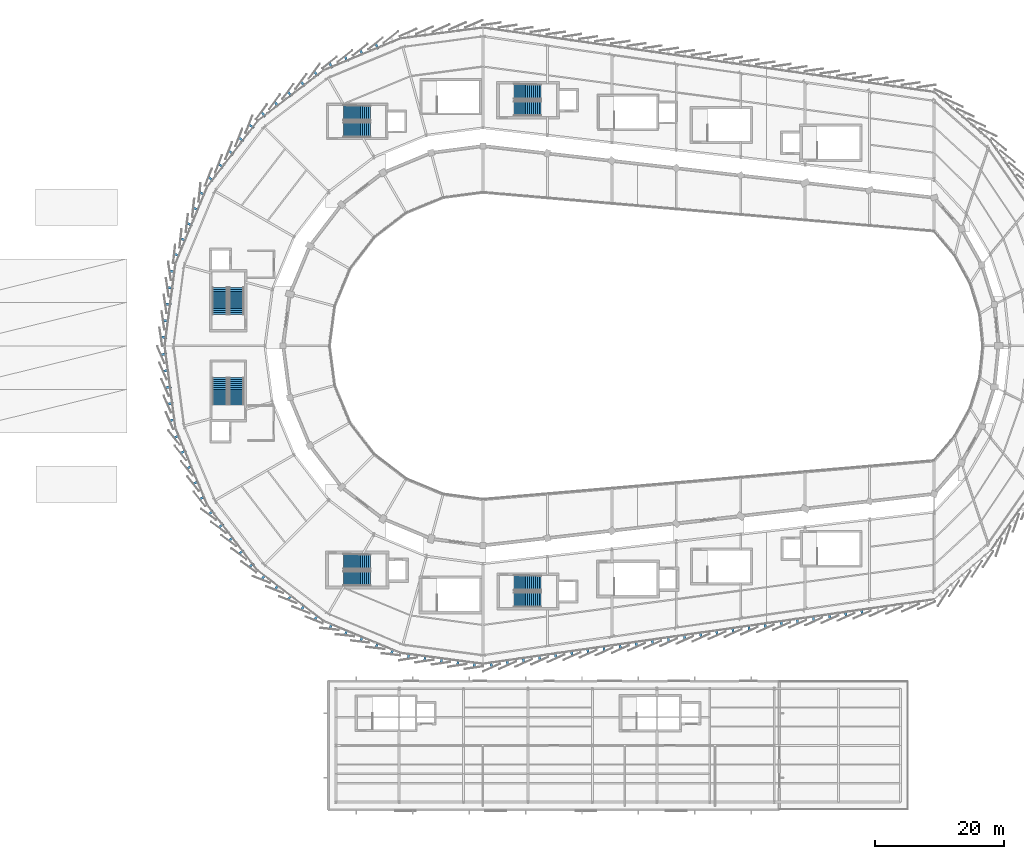
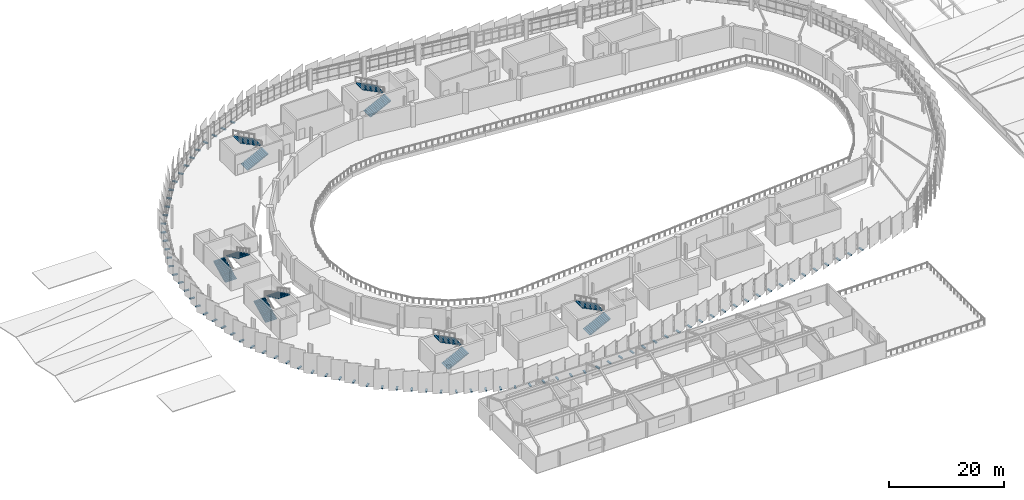
# One storey, part 80 of 87: 78 discrete accessories, 12 stair flights, 6 elements without a shape of their own.
"""IFC4 building model written with IfcOpenShell, lengths in metres."""

from ifc_helpers import new_model, si_unit, direction, frame, origin, origin_2d, place, context, subcontext, project, spatial, polyline, rectangle, outline, extrude, material, type_object, element, aggregate, save


model = new_model("IFC4")

# Units and contexts
model_context = context("Model", 3, precision=1e-05, world=origin(), true_north=direction((0.0, 1.0)))
body_context = subcontext(model_context, "Body", "Model", "MODEL_VIEW")
ifc_project = project(units=[si_unit("LENGTHUNIT", "METRE"), si_unit("AREAUNIT", "SQUARE_METRE"), si_unit("VOLUMEUNIT", "CUBIC_METRE"), si_unit("PLANEANGLEUNIT", "RADIAN"), si_unit("MASSUNIT", "GRAM", prefix="KILO")], contexts=[model_context])

# Site, building, storey
site_placement = place(None, origin())
site = spatial("IfcSite", under=ifc_project, at=site_placement, CompositionType="ELEMENT")
building_placement = place(site_placement, origin())
building = spatial("IfcBuilding", under=site, at=building_placement, Name="Sohan Crest Arena", CompositionType="ELEMENT")
storey_placement = place(building_placement, frame((0.0, 0.0, 18.0)))
storey = spatial("IfcBuildingStorey", under=building, at=storey_placement, Name="L04", CompositionType="ELEMENT", Elevation=18.0)

# Stair, stair flights
ifc_material_1 = material(Name="Concrete C40/50", Category="concrete")
stair_type = type_object("IfcStairType", Name="ST-450", PredefinedType="TWO_STRAIGHT_RUN_STAIR", material=ifc_material_1)
stair_1_placement = place(storey_placement, origin())
stair_1 = element("IfcStair", 1, at=stair_1_placement, inside=storey, type_object=stair_type, Name="Protected exit stair ST01-L04", PredefinedType="TWO_STRAIGHT_RUN_STAIR")
stair_flight_type = type_object("IfcStairFlightType", Name="FL-260-15", PredefinedType="STRAIGHT", material=ifc_material_1)
stair_flight_1_placement = place(storey_placement, frame((57.199951171875, 68.85009765625, 0.0), z_axis=(0.0, 0.0, 1.0), x_axis=(0.0, 1.0, 0.0)))
stair_flight_1 = element("IfcStairFlight", 2, at=stair_flight_1_placement, type_object=stair_flight_type, Name="ST01-L04 flight 1", NumberOfRisers=15, NumberOfTreads=14, PredefinedType="STRAIGHT", RiserHeight=0.15, TreadLength=0.3, context=body_context, shape_type="SweptSolid", body=[
    extrude(outline(polyline([(0.0, 0.0), (0.0, 0.14990234375), (0.300048828125, 0.14990234375), (0.300048828125, 0.300048828125), (0.60009765625, 0.300048828125), (0.60009765625, 0.449951171875), (0.89990234375, 0.449951171875), (0.89990234375, 0.60009765625), (1.199951171875, 0.60009765625), (1.199951171875, 0.75), (1.5, 0.75), (1.5, 0.89990234375), (1.800048828125, 0.89990234375), (1.800048828125, 1.050048828125), (2.10009765625, 1.050048828125), (2.10009765625, 1.199951171875), (2.39990234375, 1.199951171875), (2.39990234375, 1.35009765625), (2.699951171875, 1.35009765625), (2.699951171875, 1.5), (3.0, 1.5), (3.0, 1.64990234375), (3.300048828125, 1.64990234375), (3.300048828125, 1.800048828125), (3.60009765625, 1.800048828125), (3.60009765625, 1.949951171875), (3.89990234375, 1.949951171875), (3.89990234375, 2.10009765625), (4.199951171875, 2.10009765625), (4.199951171875, 2.25), (4.199951171875, 1.932373046875), (0.335205078125, 0.0), (0.0, 0.0)])), frame((0.0, 1.14990234375, 0.0), z_axis=(0.0, -1.0, 0.0), x_axis=(1.0, 0.0, 0.0)), (0.0, 0.0, 1.0), 2.300048828125),
])
stair_flight_2_placement = place(storey_placement, frame((59.800048828125, 73.050048828125, 2.25), z_axis=(0.0, 0.0, 1.0), x_axis=(0.0, -1.0, 0.0)))
stair_flight_2 = element("IfcStairFlight", 3, at=stair_flight_2_placement, type_object=stair_flight_type, Name="ST01-L04 flight 2", NumberOfRisers=15, NumberOfTreads=14, PredefinedType="STRAIGHT", RiserHeight=0.15, TreadLength=0.3, context=body_context, shape_type="SweptSolid", body=[
    extrude(outline(polyline([(0.0, 0.0), (0.0, 0.14990234375), (0.300048828125, 0.14990234375), (0.300048828125, 0.300048828125), (0.60009765625, 0.300048828125), (0.60009765625, 0.449951171875), (0.89990234375, 0.449951171875), (0.89990234375, 0.60009765625), (1.199951171875, 0.60009765625), (1.199951171875, 0.75), (1.5, 0.75), (1.5, 0.89990234375), (1.800048828125, 0.89990234375), (1.800048828125, 1.050048828125), (2.10009765625, 1.050048828125), (2.10009765625, 1.199951171875), (2.39990234375, 1.199951171875), (2.39990234375, 1.35009765625), (2.699951171875, 1.35009765625), (2.699951171875, 1.5), (3.0, 1.5), (3.0, 1.64990234375), (3.300048828125, 1.64990234375), (3.300048828125, 1.800048828125), (3.60009765625, 1.800048828125), (3.60009765625, 1.949951171875), (3.89990234375, 1.949951171875), (3.89990234375, 2.10009765625), (4.199951171875, 2.10009765625), (4.199951171875, 2.25), (4.199951171875, 1.932373046875), (0.335205078125, 0.0), (0.0, 0.0)])), frame((0.0, 1.14990234375, 0.0), z_axis=(0.0, -1.0, 0.0), x_axis=(1.0, 0.0, 0.0)), (0.0, 0.0, 1.0), 2.300048828125),
])
aggregate(stair_1, [stair_flight_1, stair_flight_2])

stair_2_placement = place(storey_placement, origin())
stair_2 = element("IfcStair", 4, at=stair_2_placement, inside=storey, type_object=stair_type, Name="Protected exit stair ST02-L04", PredefinedType="TWO_STRAIGHT_RUN_STAIR")
stair_flight_3_placement = place(storey_placement, frame((57.199951171875, 82.85009765625, 0.0), z_axis=(0.0, 0.0, 1.0), x_axis=(0.0, 1.0, 0.0)))
stair_flight_3 = element("IfcStairFlight", 5, at=stair_flight_3_placement, type_object=stair_flight_type, Name="ST02-L04 flight 1", NumberOfRisers=15, NumberOfTreads=14, PredefinedType="STRAIGHT", RiserHeight=0.15, TreadLength=0.3, context=body_context, shape_type="SweptSolid", body=[
    extrude(outline(polyline([(0.0, 0.0), (0.0, 0.14990234375), (0.300048828125, 0.14990234375), (0.300048828125, 0.300048828125), (0.60009765625, 0.300048828125), (0.60009765625, 0.449951171875), (0.89990234375, 0.449951171875), (0.89990234375, 0.60009765625), (1.199951171875, 0.60009765625), (1.199951171875, 0.75), (1.5, 0.75), (1.5, 0.89990234375), (1.800048828125, 0.89990234375), (1.800048828125, 1.050048828125), (2.10009765625, 1.050048828125), (2.10009765625, 1.199951171875), (2.39990234375, 1.199951171875), (2.39990234375, 1.35009765625), (2.699951171875, 1.35009765625), (2.699951171875, 1.5), (3.0, 1.5), (3.0, 1.64990234375), (3.300048828125, 1.64990234375), (3.300048828125, 1.800048828125), (3.60009765625, 1.800048828125), (3.60009765625, 1.949951171875), (3.89990234375, 1.949951171875), (3.89990234375, 2.10009765625), (4.199951171875, 2.10009765625), (4.199951171875, 2.25), (4.199951171875, 1.932373046875), (0.335205078125, 0.0), (0.0, 0.0)])), frame((0.0, 1.14990234375, 0.0), z_axis=(0.0, -1.0, 0.0), x_axis=(1.0, 0.0, 0.0)), (0.0, 0.0, 1.0), 2.300048828125),
])
stair_flight_4_placement = place(storey_placement, frame((59.800048828125, 87.050048828125, 2.25), z_axis=(0.0, 0.0, 1.0), x_axis=(0.0, -1.0, 0.0)))
stair_flight_4 = element("IfcStairFlight", 6, at=stair_flight_4_placement, type_object=stair_flight_type, Name="ST02-L04 flight 2", NumberOfRisers=15, NumberOfTreads=14, PredefinedType="STRAIGHT", RiserHeight=0.15, TreadLength=0.3, context=body_context, shape_type="SweptSolid", body=[
    extrude(outline(polyline([(0.0, 0.0), (0.0, 0.14990234375), (0.300048828125, 0.14990234375), (0.300048828125, 0.300048828125), (0.60009765625, 0.300048828125), (0.60009765625, 0.449951171875), (0.89990234375, 0.449951171875), (0.89990234375, 0.60009765625), (1.199951171875, 0.60009765625), (1.199951171875, 0.75), (1.5, 0.75), (1.5, 0.89990234375), (1.800048828125, 0.89990234375), (1.800048828125, 1.050048828125), (2.10009765625, 1.050048828125), (2.10009765625, 1.199951171875), (2.39990234375, 1.199951171875), (2.39990234375, 1.35009765625), (2.699951171875, 1.35009765625), (2.699951171875, 1.5), (3.0, 1.5), (3.0, 1.64990234375), (3.300048828125, 1.64990234375), (3.300048828125, 1.800048828125), (3.60009765625, 1.800048828125), (3.60009765625, 1.949951171875), (3.89990234375, 1.949951171875), (3.89990234375, 2.10009765625), (4.199951171875, 2.10009765625), (4.199951171875, 2.25), (4.199951171875, 1.932373046875), (0.335205078125, 0.0), (0.0, 0.0)])), frame((0.0, 1.14990234375, 0.0), z_axis=(0.0, -1.0, 0.0), x_axis=(1.0, 0.0, 0.0)), (0.0, 0.0, 1.0), 2.300048828125),
])
aggregate(stair_2, [stair_flight_3, stair_flight_4])

stair_3_placement = place(storey_placement, origin())
stair_3 = element("IfcStair", 7, at=stair_3_placement, inside=storey, type_object=stair_type, Name="Protected exit stair ST03-L04", PredefinedType="TWO_STRAIGHT_RUN_STAIR")
stair_flight_5_placement = place(storey_placement, frame((76.35009765625, 41.89990234375, 0.0), z_axis=(0.0, 0.0, 1.0), x_axis=(1.0, 0.0, 0.0)))
stair_flight_5 = element("IfcStairFlight", 8, at=stair_flight_5_placement, type_object=stair_flight_type, Name="ST03-L04 flight 1", NumberOfRisers=15, NumberOfTreads=14, PredefinedType="STRAIGHT", RiserHeight=0.15, TreadLength=0.3, context=body_context, shape_type="SweptSolid", body=[
    extrude(outline(polyline([(0.0, 0.0), (0.0, 0.14990234375), (0.300048828125, 0.14990234375), (0.300048828125, 0.300048828125), (0.60009765625, 0.300048828125), (0.60009765625, 0.449951171875), (0.89990234375, 0.449951171875), (0.89990234375, 0.60009765625), (1.199951171875, 0.60009765625), (1.199951171875, 0.75), (1.5, 0.75), (1.5, 0.89990234375), (1.800048828125, 0.89990234375), (1.800048828125, 1.050048828125), (2.10009765625, 1.050048828125), (2.10009765625, 1.199951171875), (2.39990234375, 1.199951171875), (2.39990234375, 1.35009765625), (2.699951171875, 1.35009765625), (2.699951171875, 1.5), (3.0, 1.5), (3.0, 1.64990234375), (3.300048828125, 1.64990234375), (3.300048828125, 1.800048828125), (3.60009765625, 1.800048828125), (3.60009765625, 1.949951171875), (3.89990234375, 1.949951171875), (3.89990234375, 2.10009765625), (4.199951171875, 2.10009765625), (4.199951171875, 2.25), (4.199951171875, 1.932373046875), (0.335205078125, 0.0), (0.0, 0.0)])), frame((0.0, 1.14990234375, 0.0), z_axis=(0.0, -1.0, 0.0), x_axis=(1.0, 0.0, 0.0)), (0.0, 0.0, 1.0), 2.300048828125),
])
stair_flight_6_placement = place(storey_placement, frame((80.550048828125, 44.5, 2.25), z_axis=(0.0, 0.0, 1.0), x_axis=(-1.0, 0.0, 0.0)))
stair_flight_6 = element("IfcStairFlight", 9, at=stair_flight_6_placement, type_object=stair_flight_type, Name="ST03-L04 flight 2", NumberOfRisers=15, NumberOfTreads=14, PredefinedType="STRAIGHT", RiserHeight=0.15, TreadLength=0.3, context=body_context, shape_type="SweptSolid", body=[
    extrude(outline(polyline([(0.0, 0.0), (0.0, 0.14990234375), (0.300048828125, 0.14990234375), (0.300048828125, 0.300048828125), (0.60009765625, 0.300048828125), (0.60009765625, 0.449951171875), (0.89990234375, 0.449951171875), (0.89990234375, 0.60009765625), (1.199951171875, 0.60009765625), (1.199951171875, 0.75), (1.5, 0.75), (1.5, 0.89990234375), (1.800048828125, 0.89990234375), (1.800048828125, 1.050048828125), (2.10009765625, 1.050048828125), (2.10009765625, 1.199951171875), (2.39990234375, 1.199951171875), (2.39990234375, 1.35009765625), (2.699951171875, 1.35009765625), (2.699951171875, 1.5), (3.0, 1.5), (3.0, 1.64990234375), (3.300048828125, 1.64990234375), (3.300048828125, 1.800048828125), (3.60009765625, 1.800048828125), (3.60009765625, 1.949951171875), (3.89990234375, 1.949951171875), (3.89990234375, 2.10009765625), (4.199951171875, 2.10009765625), (4.199951171875, 2.25), (4.199951171875, 1.932373046875), (0.335205078125, 0.0), (0.0, 0.0)])), frame((0.0, 1.14990234375, 0.0), z_axis=(0.0, -1.0, 0.0), x_axis=(1.0, 0.0, 0.0)), (0.0, 0.0, 1.0), 2.300048828125),
])
aggregate(stair_3, [stair_flight_5, stair_flight_6])

stair_4_placement = place(storey_placement, origin())
stair_4 = element("IfcStair", 10, at=stair_4_placement, inside=storey, type_object=stair_type, Name="Protected exit stair ST04-L04", PredefinedType="TWO_STRAIGHT_RUN_STAIR")
stair_flight_7_placement = place(storey_placement, frame((76.35009765625, 111.5, 0.0), z_axis=(0.0, 0.0, 1.0), x_axis=(1.0, 0.0, 0.0)))
stair_flight_7 = element("IfcStairFlight", 11, at=stair_flight_7_placement, type_object=stair_flight_type, Name="ST04-L04 flight 1", NumberOfRisers=15, NumberOfTreads=14, PredefinedType="STRAIGHT", RiserHeight=0.15, TreadLength=0.3, context=body_context, shape_type="SweptSolid", body=[
    extrude(outline(polyline([(0.0, 0.0), (0.0, 0.14990234375), (0.300048828125, 0.14990234375), (0.300048828125, 0.300048828125), (0.60009765625, 0.300048828125), (0.60009765625, 0.449951171875), (0.89990234375, 0.449951171875), (0.89990234375, 0.60009765625), (1.199951171875, 0.60009765625), (1.199951171875, 0.75), (1.5, 0.75), (1.5, 0.89990234375), (1.800048828125, 0.89990234375), (1.800048828125, 1.050048828125), (2.10009765625, 1.050048828125), (2.10009765625, 1.199951171875), (2.39990234375, 1.199951171875), (2.39990234375, 1.35009765625), (2.699951171875, 1.35009765625), (2.699951171875, 1.5), (3.0, 1.5), (3.0, 1.64990234375), (3.300048828125, 1.64990234375), (3.300048828125, 1.800048828125), (3.60009765625, 1.800048828125), (3.60009765625, 1.949951171875), (3.89990234375, 1.949951171875), (3.89990234375, 2.10009765625), (4.199951171875, 2.10009765625), (4.199951171875, 2.25), (4.199951171875, 1.932373046875), (0.335205078125, 0.0), (0.0, 0.0)])), frame((0.0, 1.14990234375, 0.0), z_axis=(0.0, -1.0, 0.0), x_axis=(1.0, 0.0, 0.0)), (0.0, 0.0, 1.0), 2.300048828125),
])
stair_flight_8_placement = place(storey_placement, frame((80.550048828125, 114.10009765625, 2.25), z_axis=(0.0, 0.0, 1.0), x_axis=(-1.0, 0.0, 0.0)))
stair_flight_8 = element("IfcStairFlight", 12, at=stair_flight_8_placement, type_object=stair_flight_type, Name="ST04-L04 flight 2", NumberOfRisers=15, NumberOfTreads=14, PredefinedType="STRAIGHT", RiserHeight=0.15, TreadLength=0.3, context=body_context, shape_type="SweptSolid", body=[
    extrude(outline(polyline([(0.0, 0.0), (0.0, 0.14990234375), (0.300048828125, 0.14990234375), (0.300048828125, 0.300048828125), (0.60009765625, 0.300048828125), (0.60009765625, 0.449951171875), (0.89990234375, 0.449951171875), (0.89990234375, 0.60009765625), (1.199951171875, 0.60009765625), (1.199951171875, 0.75), (1.5, 0.75), (1.5, 0.89990234375), (1.800048828125, 0.89990234375), (1.800048828125, 1.050048828125), (2.10009765625, 1.050048828125), (2.10009765625, 1.199951171875), (2.39990234375, 1.199951171875), (2.39990234375, 1.35009765625), (2.699951171875, 1.35009765625), (2.699951171875, 1.5), (3.0, 1.5), (3.0, 1.64990234375), (3.300048828125, 1.64990234375), (3.300048828125, 1.800048828125), (3.60009765625, 1.800048828125), (3.60009765625, 1.949951171875), (3.89990234375, 1.949951171875), (3.89990234375, 2.10009765625), (4.199951171875, 2.10009765625), (4.199951171875, 2.25), (4.199951171875, 1.932373046875), (0.335205078125, 0.0), (0.0, 0.0)])), frame((0.0, 1.14990234375, 0.0), z_axis=(0.0, -1.0, 0.0), x_axis=(1.0, 0.0, 0.0)), (0.0, 0.0, 1.0), 2.300048828125),
])
aggregate(stair_4, [stair_flight_7, stair_flight_8])

stair_5_placement = place(storey_placement, origin())
stair_5 = element("IfcStair", 13, at=stair_5_placement, inside=storey, type_object=stair_type, Name="Protected exit stair ST05-L04", PredefinedType="TWO_STRAIGHT_RUN_STAIR")
stair_flight_9_placement = place(storey_placement, frame((102.85009765625, 38.60009765625, 0.0), z_axis=(0.0, 0.0, 1.0), x_axis=(1.0, 0.0, 0.0)))
stair_flight_9 = element("IfcStairFlight", 14, at=stair_flight_9_placement, type_object=stair_flight_type, Name="ST05-L04 flight 1", NumberOfRisers=15, NumberOfTreads=14, PredefinedType="STRAIGHT", RiserHeight=0.15, TreadLength=0.3, context=body_context, shape_type="SweptSolid", body=[
    extrude(outline(polyline([(0.0, 0.0), (0.0, 0.14990234375), (0.300048828125, 0.14990234375), (0.300048828125, 0.300048828125), (0.60009765625, 0.300048828125), (0.60009765625, 0.449951171875), (0.89990234375, 0.449951171875), (0.89990234375, 0.60009765625), (1.199951171875, 0.60009765625), (1.199951171875, 0.75), (1.5, 0.75), (1.5, 0.89990234375), (1.800048828125, 0.89990234375), (1.800048828125, 1.050048828125), (2.10009765625, 1.050048828125), (2.10009765625, 1.199951171875), (2.39990234375, 1.199951171875), (2.39990234375, 1.35009765625), (2.699951171875, 1.35009765625), (2.699951171875, 1.5), (3.0, 1.5), (3.0, 1.64990234375), (3.300048828125, 1.64990234375), (3.300048828125, 1.800048828125), (3.60009765625, 1.800048828125), (3.60009765625, 1.949951171875), (3.89990234375, 1.949951171875), (3.89990234375, 2.10009765625), (4.199951171875, 2.10009765625), (4.199951171875, 2.25), (4.199951171875, 1.932373046875), (0.335205078125, 0.0), (0.0, 0.0)])), frame((0.0, 1.14990234375, 0.0), z_axis=(0.0, -1.0, 0.0), x_axis=(1.0, 0.0, 0.0)), (0.0, 0.0, 1.0), 2.300048828125),
])
stair_flight_10_placement = place(storey_placement, frame((107.050048828125, 41.199951171875, 2.25), z_axis=(0.0, 0.0, 1.0), x_axis=(-1.0, 0.0, 0.0)))
stair_flight_10 = element("IfcStairFlight", 15, at=stair_flight_10_placement, type_object=stair_flight_type, Name="ST05-L04 flight 2", NumberOfRisers=15, NumberOfTreads=14, PredefinedType="STRAIGHT", RiserHeight=0.15, TreadLength=0.3, context=body_context, shape_type="SweptSolid", body=[
    extrude(outline(polyline([(0.0, 0.0), (0.0, 0.14990234375), (0.300048828125, 0.14990234375), (0.300048828125, 0.300048828125), (0.60009765625, 0.300048828125), (0.60009765625, 0.449951171875), (0.89990234375, 0.449951171875), (0.89990234375, 0.60009765625), (1.199951171875, 0.60009765625), (1.199951171875, 0.75), (1.5, 0.75), (1.5, 0.89990234375), (1.800048828125, 0.89990234375), (1.800048828125, 1.050048828125), (2.10009765625, 1.050048828125), (2.10009765625, 1.199951171875), (2.39990234375, 1.199951171875), (2.39990234375, 1.35009765625), (2.699951171875, 1.35009765625), (2.699951171875, 1.5), (3.0, 1.5), (3.0, 1.64990234375), (3.300048828125, 1.64990234375), (3.300048828125, 1.800048828125), (3.60009765625, 1.800048828125), (3.60009765625, 1.949951171875), (3.89990234375, 1.949951171875), (3.89990234375, 2.10009765625), (4.199951171875, 2.10009765625), (4.199951171875, 2.25), (4.199951171875, 1.932373046875), (0.335205078125, 0.0), (0.0, 0.0)])), frame((0.0, 1.14990234375, 0.0), z_axis=(0.0, -1.0, 0.0), x_axis=(1.0, 0.0, 0.0)), (0.0, 0.0, 1.0), 2.300048828125),
])
aggregate(stair_5, [stair_flight_9, stair_flight_10])

stair_6_placement = place(storey_placement, origin())
stair_6 = element("IfcStair", 16, at=stair_6_placement, inside=storey, type_object=stair_type, Name="Protected exit stair ST06-L04", PredefinedType="TWO_STRAIGHT_RUN_STAIR")
stair_flight_11_placement = place(storey_placement, frame((102.85009765625, 114.800048828125, 0.0), z_axis=(0.0, 0.0, 1.0), x_axis=(1.0, 0.0, 0.0)))
stair_flight_11 = element("IfcStairFlight", 17, at=stair_flight_11_placement, type_object=stair_flight_type, Name="ST06-L04 flight 1", NumberOfRisers=15, NumberOfTreads=14, PredefinedType="STRAIGHT", RiserHeight=0.15, TreadLength=0.3, context=body_context, shape_type="SweptSolid", body=[
    extrude(outline(polyline([(0.0, 0.0), (0.0, 0.14990234375), (0.300048828125, 0.14990234375), (0.300048828125, 0.300048828125), (0.60009765625, 0.300048828125), (0.60009765625, 0.449951171875), (0.89990234375, 0.449951171875), (0.89990234375, 0.60009765625), (1.199951171875, 0.60009765625), (1.199951171875, 0.75), (1.5, 0.75), (1.5, 0.89990234375), (1.800048828125, 0.89990234375), (1.800048828125, 1.050048828125), (2.10009765625, 1.050048828125), (2.10009765625, 1.199951171875), (2.39990234375, 1.199951171875), (2.39990234375, 1.35009765625), (2.699951171875, 1.35009765625), (2.699951171875, 1.5), (3.0, 1.5), (3.0, 1.64990234375), (3.300048828125, 1.64990234375), (3.300048828125, 1.800048828125), (3.60009765625, 1.800048828125), (3.60009765625, 1.949951171875), (3.89990234375, 1.949951171875), (3.89990234375, 2.10009765625), (4.199951171875, 2.10009765625), (4.199951171875, 2.25), (4.199951171875, 1.932373046875), (0.335205078125, 0.0), (0.0, 0.0)])), frame((0.0, 1.14990234375, 0.0), z_axis=(0.0, -1.0, 0.0), x_axis=(1.0, 0.0, 0.0)), (0.0, 0.0, 1.0), 2.300048828125),
])
stair_flight_12_placement = place(storey_placement, frame((107.050048828125, 117.39990234375, 2.25), z_axis=(0.0, 0.0, 1.0), x_axis=(-1.0, 0.0, 0.0)))
stair_flight_12 = element("IfcStairFlight", 18, at=stair_flight_12_placement, type_object=stair_flight_type, Name="ST06-L04 flight 2", NumberOfRisers=15, NumberOfTreads=14, PredefinedType="STRAIGHT", RiserHeight=0.15, TreadLength=0.3, context=body_context, shape_type="SweptSolid", body=[
    extrude(outline(polyline([(0.0, 0.0), (0.0, 0.14990234375), (0.300048828125, 0.14990234375), (0.300048828125, 0.300048828125), (0.60009765625, 0.300048828125), (0.60009765625, 0.449951171875), (0.89990234375, 0.449951171875), (0.89990234375, 0.60009765625), (1.199951171875, 0.60009765625), (1.199951171875, 0.75), (1.5, 0.75), (1.5, 0.89990234375), (1.800048828125, 0.89990234375), (1.800048828125, 1.050048828125), (2.10009765625, 1.050048828125), (2.10009765625, 1.199951171875), (2.39990234375, 1.199951171875), (2.39990234375, 1.35009765625), (2.699951171875, 1.35009765625), (2.699951171875, 1.5), (3.0, 1.5), (3.0, 1.64990234375), (3.300048828125, 1.64990234375), (3.300048828125, 1.800048828125), (3.60009765625, 1.800048828125), (3.60009765625, 1.949951171875), (3.89990234375, 1.949951171875), (3.89990234375, 2.10009765625), (4.199951171875, 2.10009765625), (4.199951171875, 2.25), (4.199951171875, 1.932373046875), (0.335205078125, 0.0), (0.0, 0.0)])), frame((0.0, 1.14990234375, 0.0), z_axis=(0.0, -1.0, 0.0), x_axis=(1.0, 0.0, 0.0)), (0.0, 0.0, 1.0), 2.300048828125),
])
aggregate(stair_6, [stair_flight_11, stair_flight_12])

# Discrete accessories
ifc_material_2 = material(Name="Steel S355", Category="steel")
discrete_accessory_type = type_object("IfcDiscreteAccessoryType", Name="ARC-ACC-BRK1", PredefinedType="BRACKET", material=ifc_material_2)
for number, where, z_axis, x_axis, name in (
    (19, (81.533935546875, 124.485107421875, -0.22998046875), (0.0, 0.0, 1.0), (-0.923879532511, -0.382683432365, 0.0), "Ceramic scale carrier bracket BRK-0405"),
    (20, (79.154052734375, 123.4990234375, -0.22998046875), (0.0, 0.0, 1.0), (-0.923879532511, -0.382683432365, 0.0), "Ceramic scale carrier bracket BRK-0406"),
    (21, (76.77294921875, 122.512939453125, -0.22998046875), (0.0, 0.0, 1.0), (-0.923879532511, -0.382683432365, 0.0), "Ceramic scale carrier bracket BRK-0407"),
    (22, (74.39306640625, 121.527099609375, -0.22998046875), (0.0, 0.0, 1.0), (-0.923879532511, -0.382683432365, 0.0), "Ceramic scale carrier bracket BRK-0408"),
    (23, (72.10791015625, 120.2080078125, -0.22998046875), (0.0, 0.0, 1.0), (-0.793353340291, -0.608761429009, 0.0), "Ceramic scale carrier bracket BRK-0409"),
    (24, (70.06396484375, 118.638916015625, -0.22998046875), (0.0, 0.0, 1.0), (-0.793353340291, -0.608761429009, 0.0), "Ceramic scale carrier bracket BRK-0410"),
    (25, (68.02001953125, 117.071044921875, -0.22998046875), (0.0, 0.0, 1.0), (-0.793353340291, -0.608761429009, 0.0), "Ceramic scale carrier bracket BRK-0411"),
    (26, (65.97607421875, 115.501953125, -0.22998046875), (0.0, 0.0, 1.0), (-0.793353340291, -0.608761429009, 0.0), "Ceramic scale carrier bracket BRK-0412"),
    (27, (63.930908203125, 113.93408203125, -0.22998046875), (0.0, 0.0, 1.0), (-0.793353340291, -0.608761429009, 0.0), "Ceramic scale carrier bracket BRK-0413"),
    (28, (62.06591796875, 112.069091796875, -0.22998046875), (0.0, 0.0, 1.0), (-0.608761429009, -0.793353340291, 0.0), "Ceramic scale carrier bracket BRK-0414"),
    (29, (60.498046875, 110.02392578125, -0.22998046875), (0.0, 0.0, 1.0), (-0.608761429009, -0.793353340291, 0.0), "Ceramic scale carrier bracket BRK-0415"),
    (30, (58.928955078125, 107.97998046875, -0.22998046875), (0.0, 0.0, 1.0), (-0.608761429009, -0.793353340291, 0.0), "Ceramic scale carrier bracket BRK-0416"),
    (31, (57.361083984375, 105.93603515625, -0.22998046875), (0.0, 0.0, 1.0), (-0.608761429009, -0.793353340291, 0.0), "Ceramic scale carrier bracket BRK-0417"),
    (32, (55.7919921875, 103.89208984375, -0.22998046875), (0.0, 0.0, 1.0), (-0.608761429009, -0.793353340291, 0.0), "Ceramic scale carrier bracket BRK-0418"),
    (33, (54.472900390625, 101.60693359375, -0.22998046875), (0.0, 0.0, 1.0), (-0.382683432365, -0.923879532511, 0.0), "Ceramic scale carrier bracket BRK-0419"),
    (34, (53.487060546875, 99.22705078125, -0.22998046875), (0.0, 0.0, 1.0), (-0.382683432365, -0.923879532511, 0.0), "Ceramic scale carrier bracket BRK-0420"),
    (35, (52.5009765625, 96.845947265625, -0.22998046875), (0.0, 0.0, 1.0), (-0.382683432365, -0.923879532511, 0.0), "Ceramic scale carrier bracket BRK-0421"),
    (36, (51.514892578125, 94.466064453125, -0.22998046875), (0.0, 0.0, 1.0), (-0.382683432365, -0.923879532511, 0.0), "Ceramic scale carrier bracket BRK-0422"),
    (37, (50.529052734375, 92.0859375, -0.22998046875), (0.0, 0.0, 1.0), (-0.382683432365, -0.923879532511, 0.0), "Ceramic scale carrier bracket BRK-0423"),
    (38, (49.846923828125, 89.537109375, -0.22998046875), (0.0, 0.0, 1.0), (-0.13052619222, -0.991444861374, 0.0), "Ceramic scale carrier bracket BRK-0424"),
    (39, (49.510009765625, 86.98291015625, -0.22998046875), (0.0, 0.0, 1.0), (-0.13052619222, -0.991444861374, 0.0), "Ceramic scale carrier bracket BRK-0425"),
    (40, (49.174072265625, 84.427978515625, -0.22998046875), (0.0, 0.0, 1.0), (-0.13052619222, -0.991444861374, 0.0), "Ceramic scale carrier bracket BRK-0426"),
    (41, (48.8369140625, 81.8740234375, -0.22998046875), (0.0, 0.0, 1.0), (-0.13052619222, -0.991444861374, 0.0), "Ceramic scale carrier bracket BRK-0427"),
    (42, (48.5009765625, 79.319091796875, -0.22998046875), (0.0, 0.0, 1.0), (-0.13052619222, -0.991444861374, 0.0), "Ceramic scale carrier bracket BRK-0428"),
    (43, (48.5009765625, 76.680908203125, -0.22998046875), (0.0, 0.0, 1.0), (0.13052619222, -0.991444861374, 0.0), "Ceramic scale carrier bracket BRK-0429"),
    (44, (48.8369140625, 74.1259765625, -0.22998046875), (0.0, 0.0, 1.0), (0.13052619222, -0.991444861374, 0.0), "Ceramic scale carrier bracket BRK-0430"),
    (45, (49.174072265625, 71.572021484375, -0.22998046875), (0.0, 0.0, 1.0), (0.13052619222, -0.991444861374, 0.0), "Ceramic scale carrier bracket BRK-0431"),
    (46, (49.510009765625, 69.01708984375, -0.22998046875), (0.0, 0.0, 1.0), (0.13052619222, -0.991444861374, 0.0), "Ceramic scale carrier bracket BRK-0432"),
    (47, (49.846923828125, 66.462890625, -0.22998046875), (0.0, 0.0, 1.0), (0.13052619222, -0.991444861374, 0.0), "Ceramic scale carrier bracket BRK-0433"),
    (48, (50.529052734375, 63.9140625, -0.22998046875), (0.0, 0.0, 1.0), (0.382683432365, -0.923879532511, 0.0), "Ceramic scale carrier bracket BRK-0434"),
    (49, (51.514892578125, 61.533935546875, -0.22998046875), (0.0, 0.0, 1.0), (0.382683432365, -0.923879532511, 0.0), "Ceramic scale carrier bracket BRK-0435"),
    (50, (52.5009765625, 59.154052734375, -0.22998046875), (0.0, 0.0, 1.0), (0.382683432365, -0.923879532511, 0.0), "Ceramic scale carrier bracket BRK-0436"),
    (51, (53.487060546875, 56.77294921875, -0.22998046875), (0.0, 0.0, 1.0), (0.382683432365, -0.923879532511, 0.0), "Ceramic scale carrier bracket BRK-0437"),
    (52, (54.472900390625, 54.39306640625, -0.22998046875), (0.0, 0.0, 1.0), (0.382683432365, -0.923879532511, 0.0), "Ceramic scale carrier bracket BRK-0438"),
    (53, (55.7919921875, 52.10791015625, -0.22998046875), (0.0, 0.0, 1.0), (0.608761429009, -0.793353340291, 0.0), "Ceramic scale carrier bracket BRK-0439"),
    (54, (57.361083984375, 50.06396484375, -0.22998046875), (0.0, 0.0, 1.0), (0.608761429009, -0.793353340291, 0.0), "Ceramic scale carrier bracket BRK-0440"),
    (55, (58.928955078125, 48.02001953125, -0.22998046875), (0.0, 0.0, 1.0), (0.608761429009, -0.793353340291, 0.0), "Ceramic scale carrier bracket BRK-0441"),
    (56, (60.498046875, 45.97607421875, -0.22998046875), (0.0, 0.0, 1.0), (0.608761429009, -0.793353340291, 0.0), "Ceramic scale carrier bracket BRK-0442"),
    (57, (62.06591796875, 43.930908203125, -0.22998046875), (0.0, 0.0, 1.0), (0.608761429009, -0.793353340291, 0.0), "Ceramic scale carrier bracket BRK-0443"),
    (58, (63.930908203125, 42.06591796875, -0.22998046875), (0.0, 0.0, 1.0), (0.793353340291, -0.608761429009, 0.0), "Ceramic scale carrier bracket BRK-0444"),
    (59, (65.97607421875, 40.498046875, -0.22998046875), (0.0, 0.0, 1.0), (0.793353340291, -0.608761429009, 0.0), "Ceramic scale carrier bracket BRK-0445"),
    (60, (68.02001953125, 38.928955078125, -0.22998046875), (0.0, 0.0, 1.0), (0.793353340291, -0.608761429009, 0.0), "Ceramic scale carrier bracket BRK-0446"),
    (61, (70.06396484375, 37.361083984375, -0.22998046875), (0.0, 0.0, 1.0), (0.793353340291, -0.608761429009, 0.0), "Ceramic scale carrier bracket BRK-0447"),
    (62, (72.10791015625, 35.7919921875, -0.22998046875), (0.0, 0.0, 1.0), (0.793353340291, -0.608761429009, 0.0), "Ceramic scale carrier bracket BRK-0448"),
    (63, (74.39306640625, 34.472900390625, -0.22998046875), (0.0, 0.0, 1.0), (0.923879532511, -0.382683432365, 0.0), "Ceramic scale carrier bracket BRK-0449"),
    (64, (76.77294921875, 33.487060546875, -0.22998046875), (0.0, 0.0, 1.0), (0.923879532511, -0.382683432365, 0.0), "Ceramic scale carrier bracket BRK-0450"),
    (65, (79.154052734375, 32.5009765625, -0.22998046875), (0.0, 0.0, 1.0), (0.923879532511, -0.382683432365, 0.0), "Ceramic scale carrier bracket BRK-0451"),
    (66, (81.533935546875, 31.514892578125, -0.22998046875), (0.0, 0.0, 1.0), (0.923879532511, -0.382683432365, 0.0), "Ceramic scale carrier bracket BRK-0452"),
    (67, (83.9140625, 30.529052734375, -0.22998046875), (0.0, 0.0, 1.0), (0.923879532511, -0.382683432365, 0.0), "Ceramic scale carrier bracket BRK-0453"),
    (68, (86.462890625, 29.846923828125, -0.22998046875), (0.0, 0.0, 1.0), (0.991444861374, -0.13052619222, 0.0), "Ceramic scale carrier bracket BRK-0454"),
    (69, (89.01708984375, 29.510009765625, -0.22998046875), (0.0, 0.0, 1.0), (0.991444861374, -0.13052619222, 0.0), "Ceramic scale carrier bracket BRK-0455"),
    (70, (91.572021484375, 29.174072265625, -0.22998046875), (0.0, 0.0, 1.0), (0.991444861374, -0.13052619222, 0.0), "Ceramic scale carrier bracket BRK-0456"),
    (71, (94.1259765625, 28.8369140625, -0.22998046875), (0.0, 0.0, 1.0), (0.991444861374, -0.13052619222, 0.0), "Ceramic scale carrier bracket BRK-0457"),
    (72, (96.680908203125, 28.5009765625, -0.22998046875), (0.0, 0.0, 1.0), (0.991444861374, -0.13052619222, 0.0), "Ceramic scale carrier bracket BRK-0458"),
    (73, (99.294921875, 28.511962890625, -0.22998046875), (0.0, 0.0, 1.0), (0.990023657717, 0.140901231938, 0.0), "Ceramic scale carrier bracket BRK-0459"),
    (74, (101.794921875, 28.868896484375, -0.22998046875), (0.0, 0.0, 1.0), (0.990023657717, 0.140901231938, 0.0), "Ceramic scale carrier bracket BRK-0460"),
    (75, (104.294921875, 29.22607421875, -0.22998046875), (0.0, 0.0, 1.0), (0.990023657717, 0.140901231938, 0.0), "Ceramic scale carrier bracket BRK-0461"),
    (76, (106.794921875, 29.583984375, -0.22998046875), (0.0, 0.0, 1.0), (0.990023657717, 0.140901231938, 0.0), "Ceramic scale carrier bracket BRK-0462"),
    (77, (109.294921875, 29.94091796875, -0.22998046875), (0.0, 0.0, 1.0), (0.990023657717, 0.140901231938, 0.0), "Ceramic scale carrier bracket BRK-0463"),
    (78, (111.794921875, 30.298095703125, -0.22998046875), (0.0, 0.0, 1.0), (0.990023657717, 0.140901231938, 0.0), "Ceramic scale carrier bracket BRK-0464"),
    (79, (114.294921875, 30.655029296875, -0.22998046875), (0.0, 0.0, 1.0), (0.990023657717, 0.140901231938, 0.0), "Ceramic scale carrier bracket BRK-0465"),
    (80, (116.794921875, 31.011962890625, -0.22998046875), (0.0, 0.0, 1.0), (0.990023657717, 0.140901231938, 0.0), "Ceramic scale carrier bracket BRK-0466"),
    (81, (119.294921875, 31.368896484375, -0.22998046875), (0.0, 0.0, 1.0), (0.990023657717, 0.140901231938, 0.0), "Ceramic scale carrier bracket BRK-0467"),
    (82, (121.794921875, 31.72607421875, -0.22998046875), (0.0, 0.0, 1.0), (0.990023657717, 0.140901231938, 0.0), "Ceramic scale carrier bracket BRK-0468"),
    (83, (124.294921875, 32.0830078125, -0.22998046875), (0.0, 0.0, 1.0), (0.990023657717, 0.140901231938, 0.0), "Ceramic scale carrier bracket BRK-0469"),
    (84, (126.794921875, 32.44091796875, -0.22998046875), (0.0, 0.0, 1.0), (0.990023657717, 0.140901231938, 0.0), "Ceramic scale carrier bracket BRK-0470"),
    (85, (129.294921875, 32.798095703125, -0.22998046875), (0.0, 0.0, 1.0), (0.990023657717, 0.140901231938, 0.0), "Ceramic scale carrier bracket BRK-0471"),
    (86, (131.794921875, 33.155029296875, -0.22998046875), (0.0, 0.0, 1.0), (0.990023657717, 0.140901231938, 0.0), "Ceramic scale carrier bracket BRK-0472"),
    (87, (134.294921875, 33.511962890625, -0.22998046875), (0.0, 0.0, 1.0), (0.990023657717, 0.140901231938, 0.0), "Ceramic scale carrier bracket BRK-0473"),
    (88, (136.794921875, 33.868896484375, -0.22998046875), (0.0, 0.0, 1.0), (0.990023657717, 0.140901231938, 0.0), "Ceramic scale carrier bracket BRK-0474"),
    (89, (139.294921875, 34.22607421875, -0.22998046875), (0.0, 0.0, 1.0), (0.990023657717, 0.140901231938, 0.0), "Ceramic scale carrier bracket BRK-0475"),
    (90, (141.794921875, 34.5830078125, -0.22998046875), (0.0, 0.0, 1.0), (0.990023657717, 0.140901231938, 0.0), "Ceramic scale carrier bracket BRK-0476"),
    (91, (144.294921875, 34.93994140625, -0.22998046875), (0.0, 0.0, 1.0), (0.990023657717, 0.140901231938, 0.0), "Ceramic scale carrier bracket BRK-0477"),
    (92, (146.794921875, 35.298095703125, -0.22998046875), (0.0, 0.0, 1.0), (0.990023657717, 0.140901231938, 0.0), "Ceramic scale carrier bracket BRK-0478"),
    (93, (149.294921875, 35.655029296875, -0.22998046875), (0.0, 0.0, 1.0), (0.990023657717, 0.140901231938, 0.0), "Ceramic scale carrier bracket BRK-0479"),
    (94, (151.794921875, 36.011962890625, -0.22998046875), (0.0, 0.0, 1.0), (0.990023657717, 0.140901231938, 0.0), "Ceramic scale carrier bracket BRK-0480"),
    (95, (154.294921875, 36.368896484375, -0.22998046875), (0.0, 0.0, 1.0), (0.990023657717, 0.140901231938, 0.0), "Ceramic scale carrier bracket BRK-0481"),
    (96, (156.794921875, 36.72607421875, -0.22998046875), (0.0, 0.0, 1.0), (0.990023657717, 0.140901231938, 0.0), "Ceramic scale carrier bracket BRK-0482"),
):
    element("IfcDiscreteAccessory", number, at=place(storey_placement, frame(where, z_axis=z_axis, x_axis=x_axis)), inside=storey, type_object=discrete_accessory_type, Name=name, PredefinedType="BRACKET", context=body_context, shape_type="SweptSolid", body=[
        extrude(rectangle(XDim=0.35009765625, YDim=0.9599609375, at=origin_2d()), origin(), (0.0, 0.0, 1.0), 0.219970703125),
    ])

save(model, "model.ifc")
